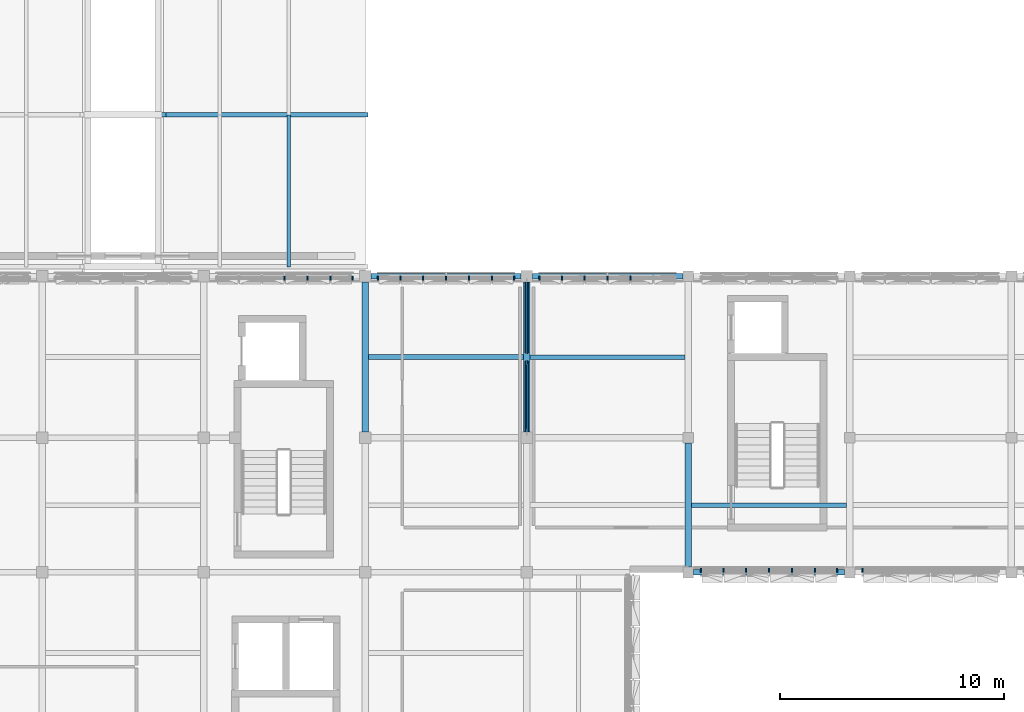
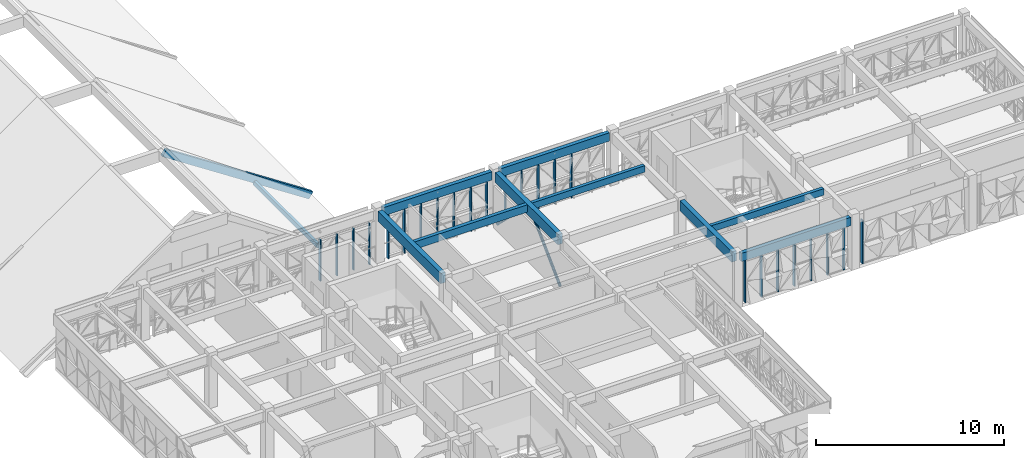
# One storey, part 9 of 48: 28 members, 9 beams, 5 elements without a shape of their own.
"""IFC4 building model written with IfcOpenShell, lengths in metres."""

from ifc_helpers import new_model, si_unit, direction, frame, origin, origin_2d, place, context, subcontext, project, spatial, rectangle, hollow_circle, extrude, material, material_profile, profile_set, type_object, element, aggregate, save


model = new_model("IFC4")

# Units and contexts
model_context = context("Model", 3, precision=1e-05, world=origin(), true_north=direction((0.0, 1.0)))
body_context = subcontext(model_context, "Body", "Model", "MODEL_VIEW")
ifc_project = project(units=[si_unit("LENGTHUNIT", "METRE"), si_unit("AREAUNIT", "SQUARE_METRE"), si_unit("VOLUMEUNIT", "CUBIC_METRE"), si_unit("PLANEANGLEUNIT", "RADIAN"), si_unit("MASSUNIT", "GRAM", prefix="KILO")], contexts=[model_context])

# Site, building, storey
site_placement = place(None, origin())
site = spatial("IfcSite", under=ifc_project, at=site_placement, CompositionType="ELEMENT")
building_placement = place(site_placement, origin())
building = spatial("IfcBuilding", under=site, at=building_placement, Name="Alvorim Cloister Faculty of Sciences", CompositionType="ELEMENT")
storey_placement = place(building_placement, frame((0.0, 0.0, 19.35009765625)))
storey = spatial("IfcBuildingStorey", under=building, at=storey_placement, Name="L05", CompositionType="ELEMENT", Elevation=19.35009765625)

# Beams
ifc_material_1 = material(Name="Glulam GL28h", Category="wood")
ifc_material_profile_1 = material_profile(ifc_material_1, rectangle(XDim=0.280029296875, YDim=0.659912109375, at=origin_2d()), Name="GL28-BM-280x660")
ifc_profile_set_1 = profile_set([ifc_material_profile_1], Name="Glulam GL28h")
beam_type_1 = type_object("IfcBeamType", Name="BM-GL-280x660", PredefinedType="BEAM", material=ifc_profile_set_1)
for number, where, z_axis, x_axis, name in (
    (1, (21.60009765625, 49.4599609375, 3.059814453125), (0.0, 1.0, 0.0), (-1.0, 0.0, 0.0), "L05 Primary Girder BM-2000"),
    (2, (28.800048828125, 49.4599609375, 3.059814453125), (0.0, 1.0, 0.0), (-1.0, 0.0, 0.0), "L05 Primary Girder BM-2007"),
):
    element("IfcBeam", number, at=place(storey_placement, frame(where, z_axis=z_axis, x_axis=x_axis)), inside=storey, type_object=beam_type_1, Name=name, PredefinedType="BEAM", context=body_context, shape_type="SweptSolid", body=[
        extrude(rectangle(XDim=0.280029296875, YDim=0.659912109375, at=origin_2d()), origin(), (0.0, 0.0, 1.0), 6.679931640625),
    ])
beam_1_placement = place(storey_placement, frame((36.0, 43.43994140625, 3.059814453125), z_axis=(0.0, 1.0, 0.0), x_axis=(-1.0, 0.0, 0.0)))
element("IfcBeam", 3, at=beam_1_placement, inside=storey, type_object=beam_type_1, Name="L05 Primary Girder BM-2008", PredefinedType="BEAM", context=body_context, shape_type="SweptSolid", body=[
    extrude(rectangle(XDim=0.280029296875, YDim=0.659912109375, at=origin_2d()), origin(), (0.0, 0.0, 1.0), 5.52001953125),
])
ifc_material_profile_2 = material_profile(ifc_material_1, rectangle(XDim=0.199951171875, YDim=0.419921875, at=origin_2d()), Name="GL28-JST-200x420")
ifc_profile_set_2 = profile_set([ifc_material_profile_2], Name="Glulam GL28h")
beam_type_2 = type_object("IfcBeamType", Name="BM-JST-GL-200x420", PredefinedType="JOIST", material=ifc_profile_set_2)
for number, where, z_axis, x_axis, name in (
    (4, (28.93994140625, 52.800048828125, 3.179931640625), (1.0, 0.0, 0.0), (0.0, 1.0, 0.0), "L05 Secondary Floor Joist BM-2032"),
    (5, (36.139892578125, 46.199951171875, 3.179931640625), (1.0, 0.0, 0.0), (0.0, 1.0, 0.0), "L05 Secondary Floor Joist BM-2033"),
):
    element("IfcBeam", number, at=place(storey_placement, frame(where, z_axis=z_axis, x_axis=x_axis)), inside=storey, type_object=beam_type_2, Name=name, PredefinedType="JOIST", context=body_context, shape_type="SweptSolid", body=[
        extrude(rectangle(XDim=0.199951171875, YDim=0.419921875, at=origin_2d()), origin(), (0.0, 0.0, 1.0), 6.920166015625),
    ])
ifc_material_profile_3 = material_profile(ifc_material_1, rectangle(XDim=0.219970703125, YDim=0.47998046875, at=origin_2d()), Name="GL28-JST-220x480")
ifc_profile_set_3 = profile_set([ifc_material_profile_3], Name="Glulam GL28h")
beam_type_3 = type_object("IfcBeamType", Name="BM-JST-GL-220x480", PredefinedType="JOIST", material=ifc_profile_set_3)
beam_2_placement = place(storey_placement, frame((21.739990234375, 52.800048828125, 3.14990234375), z_axis=(1.0, 0.0, 0.0), x_axis=(0.0, 1.0, 0.0)))
element("IfcBeam", 6, at=beam_2_placement, inside=storey, type_object=beam_type_3, Name="L05 Secondary Floor Joist BM-2030", PredefinedType="JOIST", context=body_context, shape_type="SweptSolid", body=[
    extrude(rectangle(XDim=0.219970703125, YDim=0.47998046875, at=origin_2d()), origin(), (0.0, 0.0, 1.0), 6.919921875),
])
ifc_material_profile_4 = material_profile(ifc_material_1, rectangle(XDim=0.239990234375, YDim=0.5400390625, at=origin_2d()), Name="GL28-SPD-240x540")
ifc_profile_set_4 = profile_set([ifc_material_profile_4], Name="Glulam GL28h")
beam_type_4 = type_object("IfcBeamType", Name="BM-SPD-GL-240x540", PredefinedType="SPANDREL", material=ifc_profile_set_4)
beam_3_placement = place(storey_placement, frame((36.239990234375, 43.199951171875, 3.119873046875), z_axis=(1.0, 0.0, 0.0), x_axis=(0.0, 1.0, 0.0)))
element("IfcBeam", 7, at=beam_3_placement, inside=storey, type_object=beam_type_4, Name="L05 Primary Beam BM-1968", PredefinedType="SPANDREL", context=body_context, shape_type="SweptSolid", body=[
    extrude(rectangle(XDim=0.239990234375, YDim=0.5400390625, at=origin_2d()), origin(), (0.0, 0.0, 1.0), 6.719970703125),
])
beam_4_placement = place(storey_placement, frame((21.860107421875, 56.39990234375, 3.119873046875), z_axis=(1.0, 0.0, 0.0), x_axis=(0.0, 1.0, 0.0)))
element("IfcBeam", 8, at=beam_4_placement, inside=storey, type_object=beam_type_4, Name="L05 Primary Beam BM-1975", PredefinedType="SPANDREL", context=body_context, shape_type="SweptSolid", body=[
    extrude(rectangle(XDim=0.239990234375, YDim=0.5400390625, at=origin_2d()), origin(), (0.0, 0.0, 1.0), 6.679931640625),
])
beam_5_placement = place(storey_placement, frame((29.06005859375, 56.39990234375, 3.119873046875), z_axis=(1.0, 0.0, 0.0), x_axis=(0.0, 1.0, 0.0)))
element("IfcBeam", 9, at=beam_5_placement, inside=storey, type_object=beam_type_4, Name="L05 Primary Beam BM-1976", PredefinedType="SPANDREL", context=body_context, shape_type="SweptSolid", body=[
    extrude(rectangle(XDim=0.239990234375, YDim=0.5400390625, at=origin_2d()), origin(), (0.0, 0.0, 1.0), 6.699951171875),
])

# Curtain wall, members
ifc_material_2 = material(Name="Aluminium and Low-E Glass Curtain Wall", Category="aluminium")
curtain_wall_type_1 = type_object("IfcCurtainWallType", Name="CW-TRI-6120x2706", PredefinedType="USERDEFINED", material=ifc_material_2)
curtain_wall_1_placement = place(storey_placement, origin())
curtain_wall_1 = element("IfcCurtainWall", 10, at=curtain_wall_1_placement, inside=storey, type_object=curtain_wall_type_1, Name="L05 Diagonal Cassette Curtain Wall CW-0221", ObjectType="UNITISED CURTAIN WALL", PredefinedType="USERDEFINED")
ifc_material_3 = material(Name="Aluminium Alloy 6063-T6", Category="aluminium")
ifc_material_profile_5 = material_profile(ifc_material_3, rectangle(XDim=0.06494140625, YDim=0.179931640625, at=origin_2d()), Name="ALU-MUL-65x180")
ifc_profile_set_5 = profile_set([ifc_material_profile_5], Name="Aluminium Alloy 6063-T6")
member_type_1 = type_object("IfcMemberType", Name="CW-MUL-65x180", PredefinedType="MULLION", material=ifc_profile_set_5)
member_1_placement = place(storey_placement, frame((18.0, 56.31005859375, 0.0), z_axis=(0.0, 0.0, 1.0), x_axis=(1.0, 0.0, 0.0)))
member_1 = element("IfcMember", 11, at=member_1_placement, type_object=member_type_1, Name="CW-0221 Mullion 4", PredefinedType="MULLION", context=body_context, shape_type="SweptSolid", body=[
    extrude(rectangle(XDim=0.06494140625, YDim=0.179931640625, at=origin_2d()), origin(), (0.0, 0.0, 1.0), 2.705810546875),
])
member_2_placement = place(storey_placement, frame((19.02001953125, 56.31005859375, 0.0), z_axis=(0.0, 0.0, 1.0), x_axis=(1.0, 0.0, 0.0)))
member_2 = element("IfcMember", 12, at=member_2_placement, type_object=member_type_1, Name="CW-0221 Mullion 5", PredefinedType="MULLION", context=body_context, shape_type="SweptSolid", body=[
    extrude(rectangle(XDim=0.06494140625, YDim=0.179931640625, at=origin_2d()), origin(), (0.0, 0.0, 1.0), 2.705810546875),
])
member_3_placement = place(storey_placement, frame((20.0400390625, 56.31005859375, 0.0), z_axis=(0.0, 0.0, 1.0), x_axis=(1.0, 0.0, 0.0)))
member_3 = element("IfcMember", 13, at=member_3_placement, type_object=member_type_1, Name="CW-0221 Mullion 6", PredefinedType="MULLION", context=body_context, shape_type="SweptSolid", body=[
    extrude(rectangle(XDim=0.06494140625, YDim=0.179931640625, at=origin_2d()), origin(), (0.0, 0.0, 1.0), 2.705810546875),
])
member_4_placement = place(storey_placement, frame((21.027587890625, 56.31005859375, 0.0), z_axis=(0.0, 0.0, 1.0), x_axis=(1.0, 0.0, 0.0)))
member_4 = element("IfcMember", 14, at=member_4_placement, type_object=member_type_1, Name="CW-0221 Mullion 7", PredefinedType="MULLION", context=body_context, shape_type="SweptSolid", body=[
    extrude(rectangle(XDim=0.06494140625, YDim=0.179931640625, at=origin_2d()), origin(), (0.0, 0.0, 1.0), 2.705810546875),
])
aggregate(curtain_wall_1, [member_1, member_2, member_3, member_4])

curtain_wall_type_2 = type_object("IfcCurtainWallType", Name="CW-TRI-6120x2850", PredefinedType="USERDEFINED", material=ifc_material_2)
curtain_wall_2_placement = place(storey_placement, origin())
curtain_wall_2 = element("IfcCurtainWall", 15, at=curtain_wall_2_placement, inside=storey, type_object=curtain_wall_type_2, Name="L05 Diagonal Cassette Curtain Wall CW-0222", ObjectType="UNITISED CURTAIN WALL", PredefinedType="USERDEFINED")
member_5_placement = place(storey_placement, frame((22.172607421875, 56.31005859375, 0.0), z_axis=(0.0, 0.0, 1.0), x_axis=(1.0, 0.0, 0.0)))
member_5 = element("IfcMember", 16, at=member_5_placement, type_object=member_type_1, Name="CW-0222 Mullion 1", PredefinedType="MULLION", context=body_context, shape_type="SweptSolid", body=[
    extrude(rectangle(XDim=0.06494140625, YDim=0.179931640625, at=origin_2d()), origin(), (0.0, 0.0, 1.0), 2.849853515625),
])
member_6_placement = place(storey_placement, frame((23.159912109375, 56.31005859375, 0.0), z_axis=(0.0, 0.0, 1.0), x_axis=(1.0, 0.0, 0.0)))
member_6 = element("IfcMember", 17, at=member_6_placement, type_object=member_type_1, Name="CW-0222 Mullion 2", PredefinedType="MULLION", context=body_context, shape_type="SweptSolid", body=[
    extrude(rectangle(XDim=0.06494140625, YDim=0.179931640625, at=origin_2d()), origin(), (0.0, 0.0, 1.0), 2.849853515625),
])
member_7_placement = place(storey_placement, frame((24.179931640625, 56.31005859375, 0.0), z_axis=(0.0, 0.0, 1.0), x_axis=(1.0, 0.0, 0.0)))
member_7 = element("IfcMember", 18, at=member_7_placement, type_object=member_type_1, Name="CW-0222 Mullion 3", PredefinedType="MULLION", context=body_context, shape_type="SweptSolid", body=[
    extrude(rectangle(XDim=0.06494140625, YDim=0.179931640625, at=origin_2d()), origin(), (0.0, 0.0, 1.0), 2.849853515625),
])
member_8_placement = place(storey_placement, frame((25.199951171875, 56.31005859375, 0.0), z_axis=(0.0, 0.0, 1.0), x_axis=(1.0, 0.0, 0.0)))
member_8 = element("IfcMember", 19, at=member_8_placement, type_object=member_type_1, Name="CW-0222 Mullion 4", PredefinedType="MULLION", context=body_context, shape_type="SweptSolid", body=[
    extrude(rectangle(XDim=0.06494140625, YDim=0.179931640625, at=origin_2d()), origin(), (0.0, 0.0, 1.0), 2.849853515625),
])
member_9_placement = place(storey_placement, frame((26.219970703125, 56.31005859375, 0.0), z_axis=(0.0, 0.0, 1.0), x_axis=(1.0, 0.0, 0.0)))
member_9 = element("IfcMember", 20, at=member_9_placement, type_object=member_type_1, Name="CW-0222 Mullion 5", PredefinedType="MULLION", context=body_context, shape_type="SweptSolid", body=[
    extrude(rectangle(XDim=0.06494140625, YDim=0.179931640625, at=origin_2d()), origin(), (0.0, 0.0, 1.0), 2.849853515625),
])
member_10_placement = place(storey_placement, frame((27.239990234375, 56.31005859375, 0.0), z_axis=(0.0, 0.0, 1.0), x_axis=(1.0, 0.0, 0.0)))
member_10 = element("IfcMember", 21, at=member_10_placement, type_object=member_type_1, Name="CW-0222 Mullion 6", PredefinedType="MULLION", context=body_context, shape_type="SweptSolid", body=[
    extrude(rectangle(XDim=0.06494140625, YDim=0.179931640625, at=origin_2d()), origin(), (0.0, 0.0, 1.0), 2.849853515625),
])
member_11_placement = place(storey_placement, frame((28.2275390625, 56.31005859375, 0.0), z_axis=(0.0, 0.0, 1.0), x_axis=(1.0, 0.0, 0.0)))
member_11 = element("IfcMember", 22, at=member_11_placement, type_object=member_type_1, Name="CW-0222 Mullion 7", PredefinedType="MULLION", context=body_context, shape_type="SweptSolid", body=[
    extrude(rectangle(XDim=0.06494140625, YDim=0.179931640625, at=origin_2d()), origin(), (0.0, 0.0, 1.0), 2.849853515625),
])
aggregate(curtain_wall_2, [member_5, member_6, member_7, member_8, member_9, member_10, member_11])

curtain_wall_3_placement = place(storey_placement, origin())
curtain_wall_3 = element("IfcCurtainWall", 23, at=curtain_wall_3_placement, inside=storey, type_object=curtain_wall_type_2, Name="L05 Diagonal Cassette Curtain Wall CW-0223", ObjectType="UNITISED CURTAIN WALL", PredefinedType="USERDEFINED")
member_12_placement = place(storey_placement, frame((29.37255859375, 56.31005859375, 0.0), z_axis=(0.0, 0.0, 1.0), x_axis=(1.0, 0.0, 0.0)))
member_12 = element("IfcMember", 24, at=member_12_placement, type_object=member_type_1, Name="CW-0223 Mullion 1", PredefinedType="MULLION", context=body_context, shape_type="SweptSolid", body=[
    extrude(rectangle(XDim=0.06494140625, YDim=0.179931640625, at=origin_2d()), origin(), (0.0, 0.0, 1.0), 2.849853515625),
])
member_13_placement = place(storey_placement, frame((30.360107421875, 56.31005859375, 0.0), z_axis=(0.0, 0.0, 1.0), x_axis=(1.0, 0.0, 0.0)))
member_13 = element("IfcMember", 25, at=member_13_placement, type_object=member_type_1, Name="CW-0223 Mullion 2", PredefinedType="MULLION", context=body_context, shape_type="SweptSolid", body=[
    extrude(rectangle(XDim=0.06494140625, YDim=0.179931640625, at=origin_2d()), origin(), (0.0, 0.0, 1.0), 2.849853515625),
])
member_14_placement = place(storey_placement, frame((31.3798828125, 56.31005859375, 0.0), z_axis=(0.0, 0.0, 1.0), x_axis=(1.0, 0.0, 0.0)))
member_14 = element("IfcMember", 26, at=member_14_placement, type_object=member_type_1, Name="CW-0223 Mullion 3", PredefinedType="MULLION", context=body_context, shape_type="SweptSolid", body=[
    extrude(rectangle(XDim=0.06494140625, YDim=0.179931640625, at=origin_2d()), origin(), (0.0, 0.0, 1.0), 2.849853515625),
])
member_15_placement = place(storey_placement, frame((32.39990234375, 56.31005859375, 0.0), z_axis=(0.0, 0.0, 1.0), x_axis=(1.0, 0.0, 0.0)))
member_15 = element("IfcMember", 27, at=member_15_placement, type_object=member_type_1, Name="CW-0223 Mullion 4", PredefinedType="MULLION", context=body_context, shape_type="SweptSolid", body=[
    extrude(rectangle(XDim=0.06494140625, YDim=0.179931640625, at=origin_2d()), origin(), (0.0, 0.0, 1.0), 2.849853515625),
])
member_16_placement = place(storey_placement, frame((33.419921875, 56.31005859375, 0.0), z_axis=(0.0, 0.0, 1.0), x_axis=(1.0, 0.0, 0.0)))
member_16 = element("IfcMember", 28, at=member_16_placement, type_object=member_type_1, Name="CW-0223 Mullion 5", PredefinedType="MULLION", context=body_context, shape_type="SweptSolid", body=[
    extrude(rectangle(XDim=0.06494140625, YDim=0.179931640625, at=origin_2d()), origin(), (0.0, 0.0, 1.0), 2.849853515625),
])
aggregate(curtain_wall_3, [member_12, member_13, member_14, member_15, member_16])

# Curtain wall, member
curtain_wall_4_placement = place(storey_placement, origin())
curtain_wall_4 = element("IfcCurtainWall", 29, at=curtain_wall_4_placement, inside=storey, type_object=curtain_wall_type_2, Name="L05 Diagonal Cassette Curtain Wall CW-0230", ObjectType="UNITISED CURTAIN WALL", PredefinedType="USERDEFINED")
member_17_placement = place(storey_placement, frame((43.7724609375, 43.2900390625, 0.0), z_axis=(0.0, 0.0, 1.0), x_axis=(1.0, 0.0, 0.0)))
member_17 = element("IfcMember", 30, at=member_17_placement, type_object=member_type_1, Name="CW-0230 Mullion 1", PredefinedType="MULLION", context=body_context, shape_type="SweptSolid", body=[
    extrude(rectangle(XDim=0.06494140625, YDim=0.179931640625, at=origin_2d()), origin(), (0.0, 0.0, 1.0), 2.849853515625),
])
aggregate(curtain_wall_4, [member_17])

# Curtain wall, members
curtain_wall_5_placement = place(storey_placement, origin())
curtain_wall_5 = element("IfcCurtainWall", 31, at=curtain_wall_5_placement, inside=storey, type_object=curtain_wall_type_2, Name="L05 Diagonal Cassette Curtain Wall CW-0231", ObjectType="UNITISED CURTAIN WALL", PredefinedType="USERDEFINED")
member_18_placement = place(storey_placement, frame((36.572509765625, 43.2900390625, 0.0), z_axis=(0.0, 0.0, 1.0), x_axis=(1.0, 0.0, 0.0)))
member_18 = element("IfcMember", 32, at=member_18_placement, type_object=member_type_1, Name="CW-0231 Mullion 1", PredefinedType="MULLION", context=body_context, shape_type="SweptSolid", body=[
    extrude(rectangle(XDim=0.06494140625, YDim=0.179931640625, at=origin_2d()), origin(), (0.0, 0.0, 1.0), 2.849853515625),
])
member_19_placement = place(storey_placement, frame((37.56005859375, 43.2900390625, 0.0), z_axis=(0.0, 0.0, 1.0), x_axis=(1.0, 0.0, 0.0)))
member_19 = element("IfcMember", 33, at=member_19_placement, type_object=member_type_1, Name="CW-0231 Mullion 2", PredefinedType="MULLION", context=body_context, shape_type="SweptSolid", body=[
    extrude(rectangle(XDim=0.06494140625, YDim=0.179931640625, at=origin_2d()), origin(), (0.0, 0.0, 1.0), 2.849853515625),
])
member_20_placement = place(storey_placement, frame((38.580078125, 43.2900390625, 0.0), z_axis=(0.0, 0.0, 1.0), x_axis=(1.0, 0.0, 0.0)))
member_20 = element("IfcMember", 34, at=member_20_placement, type_object=member_type_1, Name="CW-0231 Mullion 3", PredefinedType="MULLION", context=body_context, shape_type="SweptSolid", body=[
    extrude(rectangle(XDim=0.06494140625, YDim=0.179931640625, at=origin_2d()), origin(), (0.0, 0.0, 1.0), 2.849853515625),
])
member_21_placement = place(storey_placement, frame((39.60009765625, 43.2900390625, 0.0), z_axis=(0.0, 0.0, 1.0), x_axis=(1.0, 0.0, 0.0)))
member_21 = element("IfcMember", 35, at=member_21_placement, type_object=member_type_1, Name="CW-0231 Mullion 4", PredefinedType="MULLION", context=body_context, shape_type="SweptSolid", body=[
    extrude(rectangle(XDim=0.06494140625, YDim=0.179931640625, at=origin_2d()), origin(), (0.0, 0.0, 1.0), 2.849853515625),
])
member_22_placement = place(storey_placement, frame((40.6201171875, 43.2900390625, 0.0), z_axis=(0.0, 0.0, 1.0), x_axis=(1.0, 0.0, 0.0)))
member_22 = element("IfcMember", 36, at=member_22_placement, type_object=member_type_1, Name="CW-0231 Mullion 5", PredefinedType="MULLION", context=body_context, shape_type="SweptSolid", body=[
    extrude(rectangle(XDim=0.06494140625, YDim=0.179931640625, at=origin_2d()), origin(), (0.0, 0.0, 1.0), 2.849853515625),
])
member_23_placement = place(storey_placement, frame((41.639892578125, 43.2900390625, 0.0), z_axis=(0.0, 0.0, 1.0), x_axis=(1.0, 0.0, 0.0)))
member_23 = element("IfcMember", 37, at=member_23_placement, type_object=member_type_1, Name="CW-0231 Mullion 6", PredefinedType="MULLION", context=body_context, shape_type="SweptSolid", body=[
    extrude(rectangle(XDim=0.06494140625, YDim=0.179931640625, at=origin_2d()), origin(), (0.0, 0.0, 1.0), 2.849853515625),
])
member_24_placement = place(storey_placement, frame((42.62744140625, 43.2900390625, 0.0), z_axis=(0.0, 0.0, 1.0), x_axis=(1.0, 0.0, 0.0)))
member_24 = element("IfcMember", 38, at=member_24_placement, type_object=member_type_1, Name="CW-0231 Mullion 7", PredefinedType="MULLION", context=body_context, shape_type="SweptSolid", body=[
    extrude(rectangle(XDim=0.06494140625, YDim=0.179931640625, at=origin_2d()), origin(), (0.0, 0.0, 1.0), 2.849853515625),
])
aggregate(curtain_wall_5, [member_18, member_19, member_20, member_21, member_22, member_23, member_24])

# Members
ifc_material_4 = material(Name="Steel ASTM A572 Grade 50", Category="steel")
ifc_material_profile_6 = material_profile(ifc_material_4, hollow_circle(Radius=0.084228515625, WallThickness=0.008056640625, at=origin_2d()), Name="CHS168.3x8")
ifc_profile_set_6 = profile_set([ifc_material_profile_6], Name="Steel ASTM A572 Grade 50")
member_type_2 = type_object("IfcMemberType", Name="MB-BRC-CHS168", PredefinedType="BRACE", material=ifc_profile_set_6)
member_25_placement = place(storey_placement, frame((28.800048828125, 49.4599609375, 0.0), z_axis=(0.0, 0.71397262058, 0.700173619228), x_axis=(-1.0, 0.0, 0.0)))
element("IfcMember", 39, at=member_25_placement, inside=storey, type_object=member_type_2, Name="L05 Lateral Chevron Brace MB-0038", PredefinedType="BRACE", context=body_context, shape_type="SweptSolid", body=[
    extrude(hollow_circle(Radius=0.084228515625, WallThickness=0.008056640625, at=origin_2d()), origin(), (0.0, 0.0, 1.0), 4.3701171875),
])
member_26_placement = place(storey_placement, frame((28.800048828125, 56.139892578125, 0.0), z_axis=(0.0, -0.713945230823, 0.700201547688), x_axis=(1.0, 0.0, 0.0)))
element("IfcMember", 40, at=member_26_placement, inside=storey, type_object=member_type_2, Name="L05 Lateral Chevron Brace MB-0039", PredefinedType="BRACE", context=body_context, shape_type="SweptSolid", body=[
    extrude(hollow_circle(Radius=0.084228515625, WallThickness=0.008056640625, at=origin_2d()), origin(), (0.0, 0.0, 1.0), 4.369873046875),
])
ifc_material_profile_7 = material_profile(ifc_material_1, rectangle(XDim=0.159912109375, YDim=0.300048828125, at=origin_2d()), Name="GL28-PUR-160x300")
ifc_profile_set_7 = profile_set([ifc_material_profile_7], Name="Glulam GL28h")
member_type_3 = type_object("IfcMemberType", Name="MB-PUR-GL28", PredefinedType="PURLIN", material=ifc_profile_set_7)
member_27_placement = place(storey_placement, frame((18.179931640625, 56.820068359375, 1.902099609375), z_axis=(0.0, 1.0, 0.0), x_axis=(-1.0, 0.0, 0.0)))
element("IfcMember", 41, at=member_27_placement, inside=storey, type_object=member_type_3, Name="Learning Commons Roof Purlin MB-0069", PredefinedType="PURLIN", context=body_context, shape_type="SweptSolid", body=[
    extrude(rectangle(XDim=0.159912109375, YDim=0.300048828125, at=origin_2d()), origin(), (0.0, 0.0, 1.0), 6.780029296875),
])
ifc_material_profile_8 = material_profile(ifc_material_1, rectangle(XDim=0.199951171875, YDim=0.4599609375, at=origin_2d()), Name="GL28-RAF-200x460")
ifc_profile_set_8 = profile_set([ifc_material_profile_8], Name="Glulam GL28h")
member_type_4 = type_object("IfcMemberType", Name="MB-RAF-GL28", PredefinedType="RAFTER", material=ifc_profile_set_8)
member_28_placement = place(storey_placement, frame((21.60009765625, 63.60009765625, -0.10009765625), z_axis=(-0.836276767634, 0.0, 0.548307548658), x_axis=(0.0, -1.0, 0.0)))
element("IfcMember", 42, at=member_28_placement, inside=storey, type_object=member_type_4, Name="Learning Commons Gable Rafter MB-0046", PredefinedType="RAFTER", context=body_context, shape_type="SweptSolid", body=[
    extrude(rectangle(XDim=0.199951171875, YDim=0.4599609375, at=origin_2d()), origin(), (0.0, 0.0, 1.0), 10.761962890625),
])

save(model, "model.ifc")
